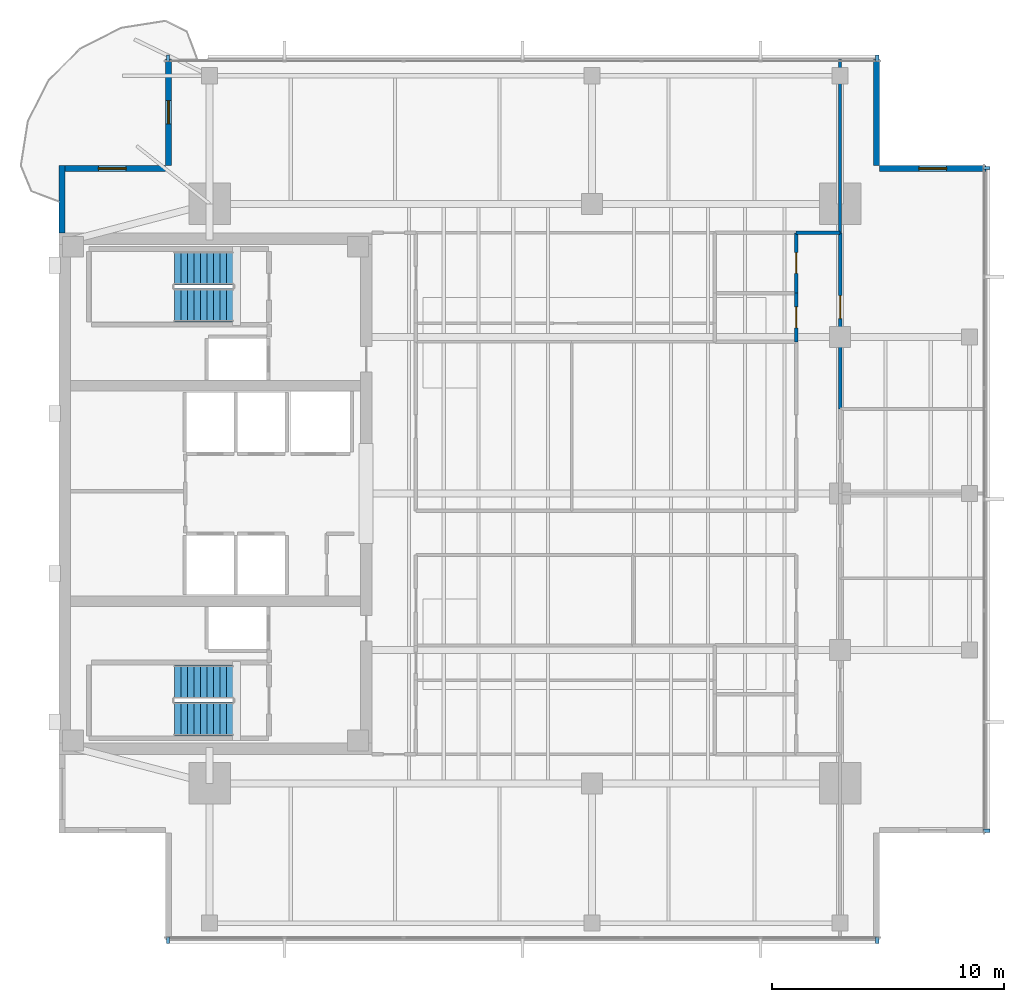
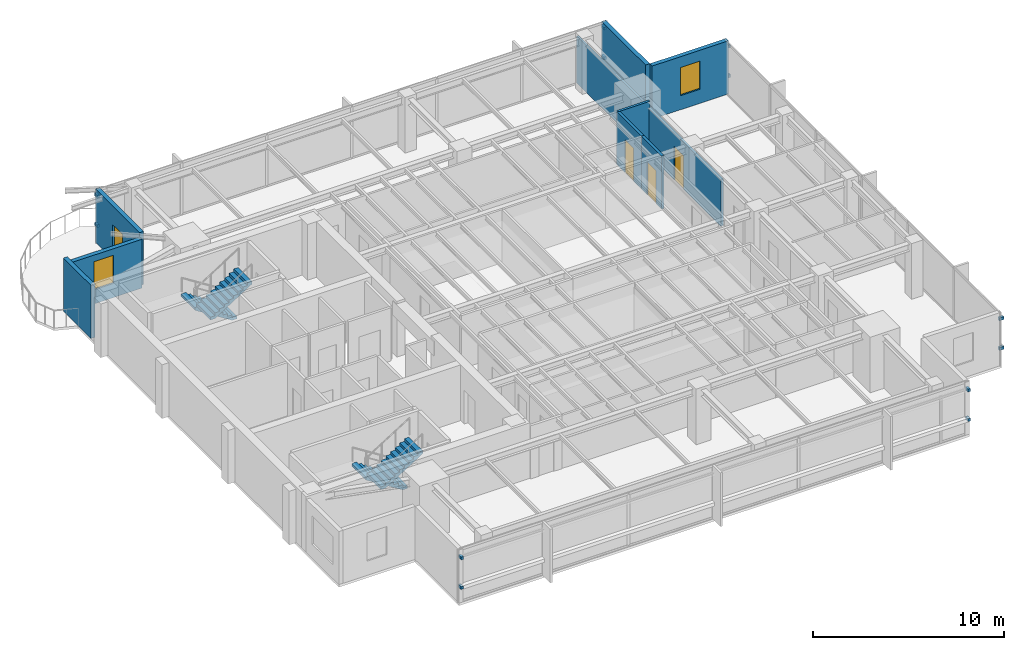
# One storey, part 10 of 14: 12 discrete accessories, 10 walls, 4 doors, 4 stair flights, 2 windows, 6 openings, 2 elements without a shape of their own.
"""IFC4 building model written with IfcOpenShell, lengths in metres."""

from ifc_helpers import new_model, si_unit, direction, frame, frame_2d, origin, origin_2d, place, context, subcontext, project, spatial, polyline, rectangle, outline, extrude, material, layer, layer_set, type_object, element, fill, aggregate, save


model = new_model("IFC4")

# Units and contexts
model_context = context("Model", 3, precision=1e-05, world=origin(), true_north=direction((0.0, 1.0)))
body_context = subcontext(model_context, "Body", "Model", "MODEL_VIEW")
ifc_project = project(units=[si_unit("LENGTHUNIT", "METRE"), si_unit("AREAUNIT", "SQUARE_METRE"), si_unit("VOLUMEUNIT", "CUBIC_METRE"), si_unit("PLANEANGLEUNIT", "RADIAN"), si_unit("MASSUNIT", "GRAM", prefix="KILO")], contexts=[model_context])

# Site, building, storey
site_placement = place(None, origin())
site = spatial("IfcSite", under=ifc_project, at=site_placement, CompositionType="ELEMENT")
building_placement = place(site_placement, origin())
building = spatial("IfcBuilding", under=site, at=building_placement, Name="Kinhvarn Gate Tower", CompositionType="ELEMENT")
storey_placement = place(building_placement, frame((0.0, 0.0, 256.35009765625)))
storey = spatial("IfcBuildingStorey", under=building, at=storey_placement, Name="L68", CompositionType="ELEMENT", Elevation=256.35009765625)

# Wall
ifc_material_1 = material(Name="Fired architectural terracotta", Category="masonry")
ifc_layer_1 = layer(ifc_material_1, 0.25)
ifc_layer_set_1 = layer_set([ifc_layer_1], Name="Fired architectural terracotta")
wall_type_1 = type_object("IfcWallType", Name="WL-EXT-250", PredefinedType="SOLIDWALL", material=ifc_layer_set_1)
wall_1_placement = place(storey_placement, frame((4.625, 39.39990234375, 0.0), z_axis=(0.0, 0.0, 1.0), x_axis=(0.0, -1.0, 0.0)))
element("IfcWall", 1, at=wall_1_placement, inside=storey, type_object=wall_type_1, Name="Exterior Solidwall Wall EW-250 (L68 West-North)", PredefinedType="SOLIDWALL", context=body_context, shape_type="SweptSolid", body=[
    extrude(rectangle(XDim=2.89990234375, YDim=0.25, at=frame_2d((1.449951171875, 0.0))), origin(), (0.0, 0.0, 1.0), 3.389892578125),
])

# Wall, opening, window
wall_2_placement = place(storey_placement, frame((44.5, 39.27490234375, 0.0), z_axis=(0.0, 0.0, 1.0), x_axis=(-1.0, 0.0, 0.0)))
wall_2 = element("IfcWall", 2, at=wall_2_placement, inside=storey, type_object=wall_type_1, Name="Exterior Solidwall Wall EW-250 (L68 NE-Notch-1)", PredefinedType="SOLIDWALL", context=body_context, shape_type="SweptSolid", body=[
    extrude(rectangle(XDim=4.60009765625, YDim=0.25, at=frame_2d((2.300048828125, 0.0))), origin(), (0.0, 0.0, 1.0), 3.389892578125),
])
opening_1_placement = place(wall_2_placement, frame((1.699951171875, 0.0, 0.89990234375)))
opening_1 = element("IfcOpeningElement", 3, at=opening_1_placement, cuts=wall_2, Name="Opening WN-02", PredefinedType="OPENING", context=body_context, shape_type="SweptSolid", body=[
    extrude(rectangle(XDim=1.199951171875, YDim=1.800048828125, at=frame_2d((0.60009765625, 0.89990234375))), frame((0.0, 0.135009765625, 0.0), z_axis=(0.0, -1.0, 0.0), x_axis=(1.0, 0.0, 0.0)), (0.0, 0.0, 1.0), 0.27001953125),
])
ifc_material_2 = material(Name="Clear low-e double glazing", Category="glass")
window_type = type_object("IfcWindowType", Name="WIN-NTC-1200", PartitioningType="SINGLE_PANEL", PredefinedType="WINDOW", material=ifc_material_2)
window_1_placement = place(opening_1_placement, origin())
window_1 = element("IfcWindow", 4, at=window_1_placement, inside=storey, type_object=window_type, Name="Recessed Corner Notch Punched Window 1200x1800 mm (L68)", OverallHeight=1.800048828125, OverallWidth=1.199951171875, PartitioningType="SINGLE_PANEL", PredefinedType="WINDOW", context=body_context, shape_type="SweptSolid", body=[
    extrude(rectangle(XDim=1.199951171875, YDim=1.800048828125, at=frame_2d((0.60009765625, 0.89990234375))), frame((0.0, 0.030029296875, 0.0), z_axis=(0.0, -1.0, 0.0), x_axis=(1.0, 0.0, 0.0)), (0.0, 0.0, 1.0), 0.06005859375),
])
fill(opening_1, window_1)

# Wall
wall_3_placement = place(storey_placement, frame((39.77490234375, 39.39990234375, 0.0), z_axis=(0.0, 0.0, 1.0), x_axis=(0.0, 1.0, 0.0)))
element("IfcWall", 5, at=wall_3_placement, inside=storey, type_object=wall_type_1, Name="Exterior Solidwall Wall EW-250 (L68 NE-Notch-2)", PredefinedType="SOLIDWALL", context=body_context, shape_type="SweptSolid", body=[
    extrude(rectangle(XDim=4.60009765625, YDim=0.25, at=frame_2d((2.300048828125, 0.0))), origin(), (0.0, 0.0, 1.0), 3.389892578125),
])

# Wall, opening, door
wall_4_placement = place(storey_placement, frame((9.22509765625, 44.0, 0.0), z_axis=(0.0, 0.0, 1.0), x_axis=(0.0, -1.0, 0.0)))
wall_4 = element("IfcWall", 6, at=wall_4_placement, inside=storey, type_object=wall_type_1, Name="Exterior Solidwall Wall EW-250 (L68 NW-Notch-Door)", PredefinedType="SOLIDWALL", context=body_context, shape_type="SweptSolid", body=[
    extrude(rectangle(XDim=4.60009765625, YDim=0.25, at=frame_2d((2.300048828125, 0.0))), origin(), (0.0, 0.0, 1.0), 3.389892578125),
])
opening_2_placement = place(wall_4_placement, frame((1.800048828125, 0.0, 0.0)))
opening_2 = element("IfcOpeningElement", 7, at=opening_2_placement, cuts=wall_4, Name="Opening BD-01", PredefinedType="OPENING", context=body_context, shape_type="SweptSolid", body=[
    extrude(rectangle(XDim=1.0, YDim=2.199951171875, at=frame_2d((0.5, 1.10009765625))), frame((0.0, 0.135009765625, 0.0), z_axis=(0.0, -1.0, 0.0), x_axis=(1.0, 0.0, 0.0)), (0.0, 0.0, 1.0), 0.27001953125),
])
door_type_1 = type_object("IfcDoorType", Name="DR-BAL-1000", OperationType="NOTDEFINED", PredefinedType="DOOR", material=ifc_material_2)
door_1_placement = place(opening_2_placement, frame((1.0, 0.0, 0.0), z_axis=(0.0, 0.0, 1.0), x_axis=(-1.0, 0.0, 0.0)))
door_1 = element("IfcDoor", 8, at=door_1_placement, inside=storey, type_object=door_type_1, Name="S-Carve Balcony Door BD-01 (L68)", OperationType="SINGLE_SWING_RIGHT", OverallHeight=2.199951171875, OverallWidth=1.0, PredefinedType="DOOR", context=body_context, shape_type="SweptSolid", body=[
    extrude(rectangle(XDim=1.0, YDim=2.199951171875, at=frame_2d((0.5, 1.10009765625))), frame((0.0, 0.02490234375, 0.0), z_axis=(0.0, -1.0, 0.0), x_axis=(1.0, 0.0, 0.0)), (0.0, 0.0, 1.0), 0.050048828125),
])
fill(opening_2, door_1)

# Wall, opening, window
wall_5_placement = place(storey_placement, frame((9.10009765625, 39.27490234375, 0.0), z_axis=(0.0, 0.0, 1.0), x_axis=(-1.0, 0.0, 0.0)))
wall_5 = element("IfcWall", 9, at=wall_5_placement, inside=storey, type_object=wall_type_1, Name="Exterior Solidwall Wall EW-250 (L68 NW-Notch-Win)", PredefinedType="SOLIDWALL", context=body_context, shape_type="SweptSolid", body=[
    extrude(rectangle(XDim=4.60009765625, YDim=0.25, at=frame_2d((2.300048828125, 0.0))), origin(), (0.0, 0.0, 1.0), 3.119873046875),
])
opening_3_placement = place(wall_5_placement, frame((1.699951171875, 0.0, 0.89990234375)))
opening_3 = element("IfcOpeningElement", 10, at=opening_3_placement, cuts=wall_5, Name="Opening WN-02", PredefinedType="OPENING", context=body_context, shape_type="SweptSolid", body=[
    extrude(rectangle(XDim=1.199951171875, YDim=1.800048828125, at=frame_2d((0.60009765625, 0.89990234375))), frame((0.0, 0.135009765625, 0.0), z_axis=(0.0, -1.0, 0.0), x_axis=(1.0, 0.0, 0.0)), (0.0, 0.0, 1.0), 0.27001953125),
])
window_2_placement = place(opening_3_placement, origin())
window_2 = element("IfcWindow", 11, at=window_2_placement, inside=storey, type_object=window_type, Name="Recessed Corner Notch Punched Window 1200x1800 mm (L68)", OverallHeight=1.800048828125, OverallWidth=1.199951171875, PartitioningType="SINGLE_PANEL", PredefinedType="WINDOW", context=body_context, shape_type="SweptSolid", body=[
    extrude(rectangle(XDim=1.199951171875, YDim=1.800048828125, at=frame_2d((0.60009765625, 0.89990234375))), frame((0.0, 0.030029296875, 0.0), z_axis=(0.0, -1.0, 0.0), x_axis=(1.0, 0.0, 0.0)), (0.0, 0.0, 1.0), 0.06005859375),
])
fill(opening_3, window_2)

# Wall, opening, door
ifc_material_3 = material(Name="Gypsum acoustic partition board")
ifc_layer_2 = layer(ifc_material_3, 0.14990234375)
ifc_layer_set_2 = layer_set([ifc_layer_2], Name="Gypsum acoustic partition board")
wall_type_2 = type_object("IfcWallType", Name="WL-PLM-150F", PredefinedType="PLUMBINGWALL", material=ifc_layer_set_2)
wall_6_placement = place(storey_placement, frame((36.300048828125, 33.89990234375, 0.0), z_axis=(0.0, 0.0, 1.0), x_axis=(0.0, 1.0, 0.0)))
wall_6 = element("IfcWall", 12, at=wall_6_placement, inside=storey, type_object=wall_type_2, Name="Interior Partition PLW-150F (L68)", PredefinedType="PLUMBINGWALL", context=body_context, shape_type="SweptSolid", body=[
    extrude(rectangle(XDim=2.60009765625, YDim=0.14990234375, at=frame_2d((1.300048828125, 0.0))), origin(), (0.0, 0.0, 1.0), 3.389892578125),
])
opening_4_placement = place(wall_6_placement, frame((0.85009765625, 0.0, 0.0)))
opening_4 = element("IfcOpeningElement", 13, at=opening_4_placement, cuts=wall_6, Name="Opening FD-04", PredefinedType="OPENING", context=body_context, shape_type="SweptSolid", body=[
    extrude(rectangle(XDim=0.89990234375, YDim=2.10009765625, at=frame_2d((0.449951171875, 1.050048828125))), frame((0.0, 0.0849609375, 0.0), z_axis=(0.0, -1.0, 0.0), x_axis=(1.0, 0.0, 0.0)), (0.0, 0.0, 1.0), 0.169921875),
])
ifc_material_4 = material(Name="Anodised aluminium AW-6063", Category="aluminium")
door_type_2 = type_object("IfcDoorType", Name="DR-FD-900", OperationType="NOTDEFINED", PredefinedType="DOOR", material=ifc_material_4)
door_2_placement = place(opening_4_placement, origin())
door_2 = element("IfcDoor", 14, at=door_2_placement, inside=storey, type_object=door_type_2, Name="Rated Riser & Service Closet Fire Door 900x2100 mm (L68)", OperationType="SINGLE_SWING_RIGHT", OverallHeight=2.10009765625, OverallWidth=0.89990234375, PredefinedType="DOOR", context=body_context, shape_type="SweptSolid", body=[
    extrude(rectangle(XDim=0.89990234375, YDim=2.10009765625, at=frame_2d((0.449951171875, 1.050048828125))), frame((0.0, 0.02490234375, 0.0), z_axis=(0.0, -1.0, 0.0), x_axis=(1.0, 0.0, 0.0)), (0.0, 0.0, 1.0), 0.050048828125),
])
fill(opening_4, door_2)

wall_7_placement = place(storey_placement, frame((36.300048828125, 31.800048828125, 0.0), z_axis=(0.0, 0.0, 1.0), x_axis=(0.0, 1.0, 0.0)))
wall_7 = element("IfcWall", 15, at=wall_7_placement, inside=storey, type_object=wall_type_2, Name="Interior Partition PLW-150F (L68)", PredefinedType="PLUMBINGWALL", context=body_context, shape_type="SweptSolid", body=[
    extrude(rectangle(XDim=2.099853515625, YDim=0.14990234375, at=frame_2d((1.0498046875, 0.0))), origin(), (0.0, 0.0, 1.0), 3.389892578125),
])
opening_5_placement = place(wall_7_placement, frame((0.60009765625, 0.0, 0.0)))
opening_5 = element("IfcOpeningElement", 16, at=opening_5_placement, cuts=wall_7, Name="Opening FD-04", PredefinedType="OPENING", context=body_context, shape_type="SweptSolid", body=[
    extrude(rectangle(XDim=0.89990234375, YDim=2.10009765625, at=frame_2d((0.449951171875, 1.050048828125))), frame((0.0, 0.0849609375, 0.0), z_axis=(0.0, -1.0, 0.0), x_axis=(1.0, 0.0, 0.0)), (0.0, 0.0, 1.0), 0.169921875),
])
door_3_placement = place(opening_5_placement, origin())
door_3 = element("IfcDoor", 17, at=door_3_placement, inside=storey, type_object=door_type_2, Name="Rated Riser & Service Closet Fire Door 900x2100 mm (L68)", OperationType="SINGLE_SWING_RIGHT", OverallHeight=2.10009765625, OverallWidth=0.89990234375, PredefinedType="DOOR", context=body_context, shape_type="SweptSolid", body=[
    extrude(rectangle(XDim=0.89990234375, YDim=2.10009765625, at=frame_2d((0.449951171875, 1.050048828125))), frame((0.0, 0.02490234375, 0.0), z_axis=(0.0, -1.0, 0.0), x_axis=(1.0, 0.0, 0.0)), (0.0, 0.0, 1.0), 0.050048828125),
])
fill(opening_5, door_3)

# Walls
ifc_layer_3 = layer(ifc_material_3, 0.1201171875)
ifc_layer_set_3 = layer_set([ifc_layer_3], Name="Gypsum acoustic partition board")
wall_type_3 = type_object("IfcWallType", Name="WL-PRT-120", PredefinedType="PARTITIONING", material=ifc_layer_set_3)
wall_8_placement = place(storey_placement, frame((38.199951171875, 36.5, 0.0), z_axis=(0.0, 0.0, 1.0), x_axis=(0.0, 1.0, 0.0)))
element("IfcWall", 18, at=wall_8_placement, inside=storey, type_object=wall_type_3, Name="Interior Partition PW-120 (L68)", PredefinedType="PARTITIONING", context=body_context, shape_type="SweptSolid", body=[
    extrude(rectangle(XDim=7.489990234375, YDim=0.1201171875, at=frame_2d((3.7451171875, 0.0))), origin(), (0.0, 0.0, 1.0), 2.989990234375),
])
ifc_layer_4 = layer(ifc_material_3, 0.14990234375)
ifc_layer_set_4 = layer_set([ifc_layer_4], Name="Gypsum acoustic partition board")
wall_type_4 = type_object("IfcWallType", Name="WL-PRT-150F", PredefinedType="PARTITIONING", material=ifc_layer_set_4)
wall_9_placement = place(storey_placement, frame((36.300048828125, 36.5, 0.0), z_axis=(0.0, 0.0, 1.0), x_axis=(1.0, 0.0, 0.0)))
element("IfcWall", 19, at=wall_9_placement, inside=storey, type_object=wall_type_4, Name="Interior Partition PW-150F (L68)", PredefinedType="PARTITIONING", context=body_context, shape_type="SweptSolid", body=[
    extrude(rectangle(XDim=1.89990234375, YDim=0.14990234375, at=frame_2d((0.949951171875, 0.0))), origin(), (0.0, 0.0, 1.0), 3.389892578125),
])

# Wall, opening, door
wall_10_placement = place(storey_placement, frame((38.199951171875, 28.89990234375, 0.0), z_axis=(0.0, 0.0, 1.0), x_axis=(0.0, 1.0, 0.0)))
wall_10 = element("IfcWall", 20, at=wall_10_placement, inside=storey, type_object=wall_type_4, Name="Interior Partition PW-150F (L68)", PredefinedType="PARTITIONING", context=body_context, shape_type="SweptSolid", body=[
    extrude(rectangle(XDim=7.60009765625, YDim=0.14990234375, at=frame_2d((3.800048828125, 0.0))), origin(), (0.0, 0.0, 1.0), 2.989990234375),
])
opening_6_placement = place(wall_10_placement, frame((3.89404296875, 0.0, 0.0)))
opening_6 = element("IfcOpeningElement", 21, at=opening_6_placement, cuts=wall_10, Name="Opening ID-02", PredefinedType="OPENING", context=body_context, shape_type="SweptSolid", body=[
    extrude(rectangle(XDim=1.0, YDim=2.14990234375, at=frame_2d((0.5, 1.074951171875))), frame((0.0, 0.0849609375, 0.0), z_axis=(0.0, -1.0, 0.0), x_axis=(1.0, 0.0, 0.0)), (0.0, 0.0, 1.0), 0.169921875),
])
door_type_3 = type_object("IfcDoorType", Name="DR-INT-1000", OperationType="NOTDEFINED", PredefinedType="DOOR", material=ifc_material_4)
door_4_placement = place(opening_6_placement, origin())
door_4 = element("IfcDoor", 22, at=door_4_placement, inside=storey, type_object=door_type_3, Name="Standard Office & Meeting Room Door 1000x2150 mm (L68)", OperationType="SINGLE_SWING_RIGHT", OverallHeight=2.14990234375, OverallWidth=1.0, PredefinedType="DOOR", context=body_context, shape_type="SweptSolid", body=[
    extrude(rectangle(XDim=1.0, YDim=2.14990234375, at=frame_2d((0.5, 1.074951171875))), frame((0.0, 0.02490234375, 0.0), z_axis=(0.0, -1.0, 0.0), x_axis=(1.0, 0.0, 0.0)), (0.0, 0.0, 1.0), 0.050048828125),
])
fill(opening_6, door_4)

# Stair, stair flights
ifc_material_5 = material(Name="Concrete C40/50", Category="concrete")
stair_type = type_object("IfcStairType", Name="STR-DLG-177", PredefinedType="HALF_TURN_STAIR", material=ifc_material_5)
stair_1_placement = place(storey_placement, origin())
stair_1 = element("IfcStair", 23, at=stair_1_placement, inside=storey, type_object=stair_type, Name="L68 Core Smokeproof Exit Stair ST1", PredefinedType="HALF_TURN_STAIR")
stair_flight_type = type_object("IfcStairFlightType", Name="STF-DLG-177", PredefinedType="STRAIGHT", material=ifc_material_5)
stair_flight_1_placement = place(storey_placement, frame((12.0, 17.125, 0.0), z_axis=(0.0, 0.0, 1.0), x_axis=(-1.0, 0.0, 0.0)))
stair_flight_1 = element("IfcStairFlight", 24, at=stair_flight_1_placement, type_object=stair_flight_type, Name="ST1 flight 1", NumberOfRisers=10, NumberOfTreads=9, PredefinedType="STRAIGHT", RiserHeight=0.1775, TreadLength=0.28, context=body_context, shape_type="SweptSolid", body=[
    extrude(outline(polyline([(0.0, 0.0), (0.0, 0.177490234375), (0.280029296875, 0.177490234375), (0.280029296875, 0.35498046875), (0.56005859375, 0.35498046875), (0.56005859375, 0.532470703125), (0.840087890625, 0.532470703125), (0.840087890625, 0.7099609375), (1.1201171875, 0.7099609375), (1.1201171875, 0.887451171875), (1.39990234375, 0.887451171875), (1.39990234375, 1.06494140625), (1.679931640625, 1.06494140625), (1.679931640625, 1.242431640625), (1.9599609375, 1.242431640625), (1.9599609375, 1.419921875), (2.239990234375, 1.419921875), (2.239990234375, 1.597412109375), (2.52001953125, 1.597412109375), (2.52001953125, 1.77490234375), (2.52001953125, 1.419921875), (0.280029296875, 0.0), (0.0, 0.0)])), frame((0.0, 0.72509765625, 0.0), z_axis=(0.0, -1.0, 0.0), x_axis=(1.0, 0.0, 0.0)), (0.0, 0.0, 1.0), 1.449951171875),
])
stair_flight_2_placement = place(storey_placement, frame((9.47998046875, 15.52490234375, 1.77490234375), z_axis=(0.0, 0.0, 1.0), x_axis=(1.0, 0.0, 0.0)))
stair_flight_2 = element("IfcStairFlight", 25, at=stair_flight_2_placement, type_object=stair_flight_type, Name="ST1 flight 2", NumberOfRisers=10, NumberOfTreads=9, PredefinedType="STRAIGHT", RiserHeight=0.1775, TreadLength=0.28, context=body_context, shape_type="SweptSolid", body=[
    extrude(outline(polyline([(0.0, 0.0), (0.0, 0.177490234375), (0.280029296875, 0.177490234375), (0.280029296875, 0.35498046875), (0.56005859375, 0.35498046875), (0.56005859375, 0.532470703125), (0.840087890625, 0.532470703125), (0.840087890625, 0.7099609375), (1.1201171875, 0.7099609375), (1.1201171875, 0.887451171875), (1.39990234375, 0.887451171875), (1.39990234375, 1.06494140625), (1.679931640625, 1.06494140625), (1.679931640625, 1.242431640625), (1.9599609375, 1.242431640625), (1.9599609375, 1.419921875), (2.239990234375, 1.419921875), (2.239990234375, 1.597412109375), (2.52001953125, 1.597412109375), (2.52001953125, 1.77490234375), (2.52001953125, 1.419921875), (0.280029296875, 0.0), (0.0, 0.0)])), frame((0.0, 0.72509765625, 0.0), z_axis=(0.0, -1.0, 0.0), x_axis=(1.0, 0.0, 0.0)), (0.0, 0.0, 1.0), 1.449951171875),
])
aggregate(stair_1, [stair_flight_1, stair_flight_2])

stair_2_placement = place(storey_placement, origin())
stair_2 = element("IfcStair", 26, at=stair_2_placement, inside=storey, type_object=stair_type, Name="L68 Core Smokeproof Exit Stair ST2", PredefinedType="HALF_TURN_STAIR")
stair_flight_3_placement = place(storey_placement, frame((12.0, 34.97509765625, 0.0), z_axis=(0.0, 0.0, 1.0), x_axis=(-1.0, 0.0, 0.0)))
stair_flight_3 = element("IfcStairFlight", 27, at=stair_flight_3_placement, type_object=stair_flight_type, Name="ST2 flight 1", NumberOfRisers=10, NumberOfTreads=9, PredefinedType="STRAIGHT", RiserHeight=0.1775, TreadLength=0.28, context=body_context, shape_type="SweptSolid", body=[
    extrude(outline(polyline([(0.0, 0.0), (0.0, 0.177490234375), (0.280029296875, 0.177490234375), (0.280029296875, 0.35498046875), (0.56005859375, 0.35498046875), (0.56005859375, 0.532470703125), (0.840087890625, 0.532470703125), (0.840087890625, 0.7099609375), (1.1201171875, 0.7099609375), (1.1201171875, 0.887451171875), (1.39990234375, 0.887451171875), (1.39990234375, 1.06494140625), (1.679931640625, 1.06494140625), (1.679931640625, 1.242431640625), (1.9599609375, 1.242431640625), (1.9599609375, 1.419921875), (2.239990234375, 1.419921875), (2.239990234375, 1.597412109375), (2.52001953125, 1.597412109375), (2.52001953125, 1.77490234375), (2.52001953125, 1.419921875), (0.280029296875, 0.0), (0.0, 0.0)])), frame((0.0, 0.72509765625, 0.0), z_axis=(0.0, -1.0, 0.0), x_axis=(1.0, 0.0, 0.0)), (0.0, 0.0, 1.0), 1.449951171875),
])
stair_flight_4_placement = place(storey_placement, frame((9.47998046875, 33.375, 1.77490234375), z_axis=(0.0, 0.0, 1.0), x_axis=(1.0, 0.0, 0.0)))
stair_flight_4 = element("IfcStairFlight", 28, at=stair_flight_4_placement, type_object=stair_flight_type, Name="ST2 flight 2", NumberOfRisers=10, NumberOfTreads=9, PredefinedType="STRAIGHT", RiserHeight=0.1775, TreadLength=0.28, context=body_context, shape_type="SweptSolid", body=[
    extrude(outline(polyline([(0.0, 0.0), (0.0, 0.177490234375), (0.280029296875, 0.177490234375), (0.280029296875, 0.35498046875), (0.56005859375, 0.35498046875), (0.56005859375, 0.532470703125), (0.840087890625, 0.532470703125), (0.840087890625, 0.7099609375), (1.1201171875, 0.7099609375), (1.1201171875, 0.887451171875), (1.39990234375, 0.887451171875), (1.39990234375, 1.06494140625), (1.679931640625, 1.06494140625), (1.679931640625, 1.242431640625), (1.9599609375, 1.242431640625), (1.9599609375, 1.419921875), (2.239990234375, 1.419921875), (2.239990234375, 1.597412109375), (2.52001953125, 1.597412109375), (2.52001953125, 1.77490234375), (2.52001953125, 1.419921875), (0.280029296875, 0.0), (0.0, 0.0)])), frame((0.0, 0.72509765625, 0.0), z_axis=(0.0, -1.0, 0.0), x_axis=(1.0, 0.0, 0.0)), (0.0, 0.0, 1.0), 1.449951171875),
])
aggregate(stair_2, [stair_flight_3, stair_flight_4])

# Discrete accessories
discrete_accessory_type = type_object("IfcDiscreteAccessoryType", Name="ACC-BRK-01", PredefinedType="BRACKET", material=ifc_material_4)
for number, where, z_axis, x_axis, name in (
    (29, (9.199951171875, 5.969970703125, 0.9599609375), (0.0, 0.0, 1.0), (1.0, 0.0, 0.0), "Baguette Support Bracket BK-01 (L68)"),
    (30, (9.199951171875, 5.969970703125, 2.85009765625), (0.0, 0.0, 1.0), (1.0, 0.0, 0.0), "Baguette Support Bracket BK-01 (L68)"),
    (31, (39.800048828125, 5.969970703125, 0.9599609375), (0.0, 0.0, 1.0), (1.0, 0.0, 0.0), "Baguette Support Bracket BK-01 (L68)"),
    (32, (39.800048828125, 5.969970703125, 2.85009765625), (0.0, 0.0, 1.0), (1.0, 0.0, 0.0), "Baguette Support Bracket BK-01 (L68)"),
    (33, (39.800048828125, 44.030029296875, 0.9599609375), (0.0, 0.0, 1.0), (-1.0, 0.0, 0.0), "Baguette Support Bracket BK-01 (L68)"),
    (34, (39.800048828125, 44.030029296875, 2.85009765625), (0.0, 0.0, 1.0), (-1.0, 0.0, 0.0), "Baguette Support Bracket BK-01 (L68)"),
    (35, (9.199951171875, 44.030029296875, 0.9599609375), (0.0, 0.0, 1.0), (-1.0, 0.0, 0.0), "Baguette Support Bracket BK-01 (L68)"),
    (36, (9.199951171875, 44.030029296875, 2.85009765625), (0.0, 0.0, 1.0), (-1.0, 0.0, 0.0), "Baguette Support Bracket BK-01 (L68)"),
    (37, (44.530029296875, 10.699951171875, 0.9599609375), (0.0, 0.0, 1.0), (0.0, 1.0, 0.0), "Baguette Support Bracket BK-01 (L68)"),
    (38, (44.530029296875, 10.699951171875, 2.85009765625), (0.0, 0.0, 1.0), (0.0, 1.0, 0.0), "Baguette Support Bracket BK-01 (L68)"),
    (39, (44.530029296875, 39.300048828125, 0.9599609375), (0.0, 0.0, 1.0), (0.0, 1.0, 0.0), "Baguette Support Bracket BK-01 (L68)"),
    (40, (44.530029296875, 39.300048828125, 2.85009765625), (0.0, 0.0, 1.0), (0.0, 1.0, 0.0), "Baguette Support Bracket BK-01 (L68)"),
):
    element("IfcDiscreteAccessory", number, at=place(storey_placement, frame(where, z_axis=z_axis, x_axis=x_axis)), inside=storey, type_object=discrete_accessory_type, Name=name, PredefinedType="BRACKET", context=body_context, shape_type="SweptSolid", body=[
        extrude(rectangle(XDim=0.139892578125, YDim=0.280029296875, at=origin_2d()), origin(), (0.0, 0.0, 1.0), 0.179931640625),
    ])

save(model, "model.ifc")
